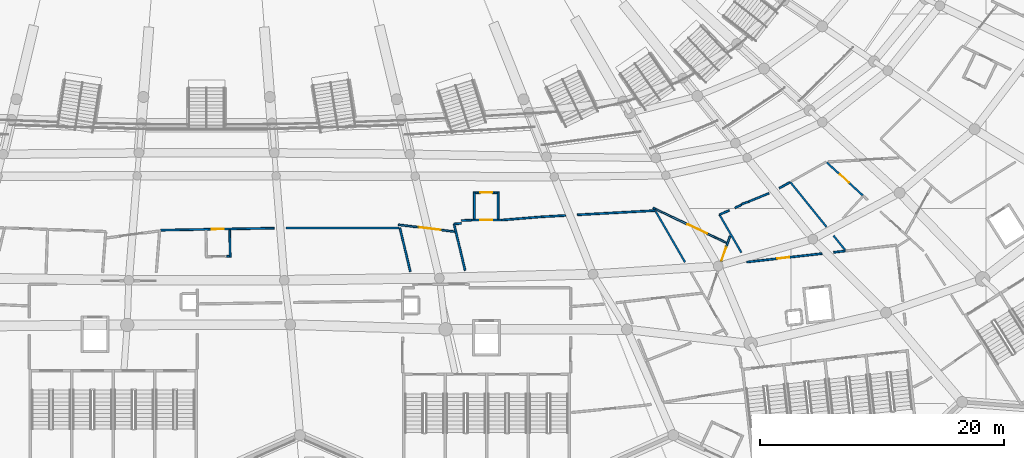
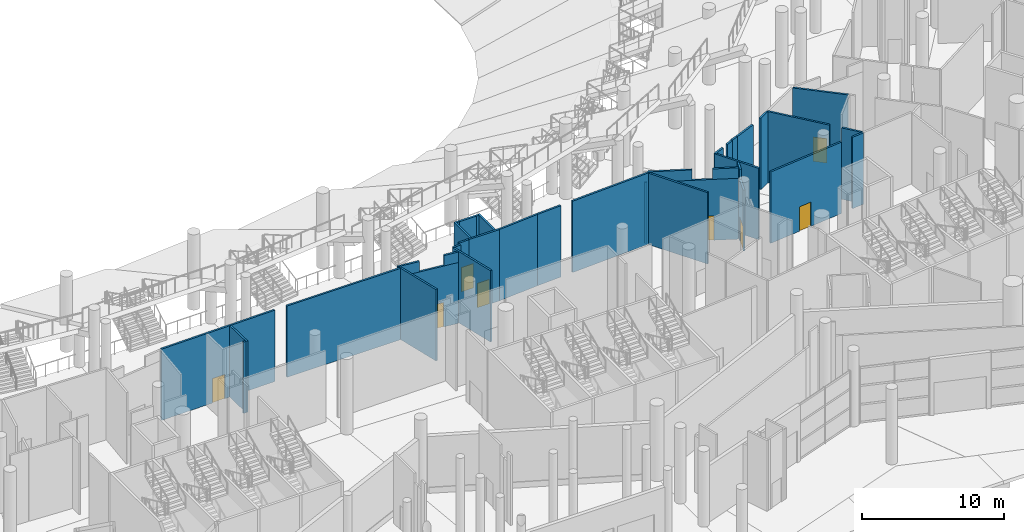
# One storey, part 121 of 255: 38 walls, 8 doors, 8 openings.
"""IFC4 building model written with IfcOpenShell, lengths in metres."""

from ifc_helpers import new_model, si_unit, direction, frame, frame_2d, origin, place, context, subcontext, project, spatial, rectangle, extrude, material, layer, layer_set, type_object, element, fill, save


model = new_model("IFC4")

# Units and contexts
model_context = context("Model", 3, precision=1e-05, world=origin(), true_north=direction((0.0, 1.0)))
body_context = subcontext(model_context, "Body", "Model", "MODEL_VIEW")
ifc_project = project(units=[si_unit("LENGTHUNIT", "METRE"), si_unit("AREAUNIT", "SQUARE_METRE"), si_unit("VOLUMEUNIT", "CUBIC_METRE"), si_unit("PLANEANGLEUNIT", "RADIAN"), si_unit("MASSUNIT", "GRAM", prefix="KILO")], contexts=[model_context])

# Site, building, storey
site_placement = place(None, origin())
site = spatial("IfcSite", under=ifc_project, at=site_placement, CompositionType="ELEMENT")
building_placement = place(site_placement, origin())
building = spatial("IfcBuilding", under=site, at=building_placement, Name="Meseta Stadium", CompositionType="ELEMENT")
storey_placement = place(building_placement, origin())
storey = spatial("IfcBuildingStorey", under=building, at=storey_placement, Name="L00", CompositionType="ELEMENT", Elevation=0.0)

# Wall
ifc_material_1 = material(Name="Masonry blockwork", Category="masonry")
ifc_layer = layer(ifc_material_1, 0.14990234375)
ifc_layer_set = layer_set([ifc_layer], Name="Partition 150")
wall_type = type_object("IfcWallType", Name="Partition 150", PredefinedType="PARTITIONING", material=ifc_layer_set)
wall_1_placement = place(storey_placement, frame((15.876220703125, -81.57861328125, 0.0), z_axis=(0.0, 0.0, 1.0), x_axis=(0.231653421041, -0.972798382256, 0.0)))
element("IfcWall", 1, at=wall_1_placement, inside=storey, type_object=wall_type, Name="Partition L00 L00-cell23-1-0", PredefinedType="PARTITIONING", context=body_context, shape_type="SweptSolid", body=[
    extrude(rectangle(XDim=3.67919921875, YDim=0.14990234375, at=frame_2d((1.839599609375, 0.0))), origin(), (0.0, 0.0, 1.0), 6.14990234375),
])

# Wall, opening, door
wall_2_placement = place(storey_placement, frame((-3.7783203125, -81.762939453125, 0.0), z_axis=(0.0, 0.0, 1.0), x_axis=(0.999845432781, 0.017581539953, 0.0)))
wall_2 = element("IfcWall", 2, at=wall_2_placement, inside=storey, type_object=wall_type, Name="Partition L00 L00-cell23-1-0", PredefinedType="PARTITIONING", context=body_context, shape_type="SweptSolid", body=[
    extrude(rectangle(XDim=9.33154296875, YDim=0.14990234375, at=frame_2d((4.665771484375, 0.0))), origin(), (0.0, 0.0, 1.0), 6.14990234375),
])
opening_1_placement = place(wall_2_placement, frame((4.199951171875, 0.0, 0.0)))
opening_1 = element("IfcOpeningElement", 3, at=opening_1_placement, cuts=wall_2, Name="Opening D602", PredefinedType="OPENING", context=body_context, shape_type="SweptSolid", body=[
    extrude(rectangle(XDim=1.0, YDim=2.10009765625, at=frame_2d((0.5, 1.050048828125))), frame((0.0, 0.0849609375, 0.0), z_axis=(0.0, -1.0, 0.0), x_axis=(1.0, 0.0, 0.0)), (0.0, 0.0, 1.0), 0.169921875),
])
ifc_material_2 = material(Name="Steel", Category="steel")
door_type_1 = type_object("IfcDoorType", Name="Fire door 1000x2100 EI2 60", OperationType="NOTDEFINED", PredefinedType="DOOR", material=ifc_material_2)
door_1_placement = place(opening_1_placement, origin())
door_1 = element("IfcDoor", 4, at=door_1_placement, inside=storey, type_object=door_type_1, Name="Door D602", OperationType="SINGLE_SWING_LEFT", OverallHeight=2.10009765625, OverallWidth=1.0, PredefinedType="DOOR", context=body_context, shape_type="SweptSolid", body=[
    extrude(rectangle(XDim=1.0, YDim=2.10009765625, at=frame_2d((0.5, 1.050048828125))), frame((0.0, 0.02490234375, 0.0), z_axis=(0.0, -1.0, 0.0), x_axis=(1.0, 0.0, 0.0)), (0.0, 0.0, 1.0), 0.050048828125),
])
fill(opening_1, door_1)

# Walls
wall_3_placement = place(storey_placement, frame((6.538330078125, -81.589599609375, 0.0), z_axis=(0.0, 0.0, 1.0), x_axis=(0.99999932727, 0.001159939114, 0.0)))
element("IfcWall", 5, at=wall_3_placement, inside=storey, type_object=wall_type, Name="Partition L00 L00-cell23-1-0", PredefinedType="PARTITIONING", context=body_context, shape_type="SweptSolid", body=[
    extrude(rectangle(XDim=9.260986328125, YDim=0.14990234375, at=frame_2d((4.63037109375, 0.0))), origin(), (0.0, 0.0, 1.0), 6.14990234375),
])
wall_4_placement = place(storey_placement, frame((21.23046875, -85.0693359375, 0.0), z_axis=(0.0, 0.0, 1.0), x_axis=(-0.231637359188, 0.972802206941, 0.0)))
element("IfcWall", 6, at=wall_4_placement, inside=storey, type_object=wall_type, Name="Partition L00 L00-cell24-1-0", PredefinedType="PARTITIONING", context=body_context, shape_type="SweptSolid", body=[
    extrude(rectangle(XDim=3.921875, YDim=0.14990234375, at=frame_2d((1.9609375, 0.0))), origin(), (0.0, 0.0, 1.0), 6.14990234375),
])
wall_5_placement = place(storey_placement, frame((20.322021484375, -81.254150390625, 0.0), z_axis=(0.0, 0.0, 1.0), x_axis=(0.996439227691, 0.084314088497, 0.0)))
element("IfcWall", 7, at=wall_5_placement, inside=storey, type_object=wall_type, Name="Partition L00 L00-cell24-1-0", PredefinedType="PARTITIONING", context=body_context, shape_type="SweptSolid", body=[
    extrude(rectangle(XDim=0.605224609375, YDim=0.14990234375, at=frame_2d((0.302734375, 0.0))), origin(), (0.0, 0.0, 1.0), 6.14990234375),
])
wall_6_placement = place(storey_placement, frame((20.93603515625, -80.972900390625, 0.0), z_axis=(0.0, 0.0, 1.0), x_axis=(0.998905752417, 0.046768555546, 0.0)))
element("IfcWall", 8, at=wall_6_placement, inside=storey, type_object=wall_type, Name="Partition L00 L00-cell24-1-0", PredefinedType="PARTITIONING", context=body_context, shape_type="SweptSolid", body=[
    extrude(rectangle(XDim=0.830078125, YDim=0.14990234375, at=frame_2d((0.4150390625, 0.0))), origin(), (0.0, 0.0, 1.0), 6.14990234375),
])

# Wall, opening, door
wall_7_placement = place(storey_placement, frame((21.76513671875, -80.93408203125, 0.0), z_axis=(0.0, 0.0, 1.0), x_axis=(1.0, 0.0, 0.0)))
wall_7 = element("IfcWall", 9, at=wall_7_placement, inside=storey, type_object=wall_type, Name="Partition L00 L00-cell24-1-0", PredefinedType="PARTITIONING", context=body_context, shape_type="SweptSolid", body=[
    extrude(rectangle(XDim=2.462646484375, YDim=0.14990234375, at=frame_2d((1.2314453125, 0.0))), origin(), (0.0, 0.0, 1.0), 6.14990234375),
])
opening_2_placement = place(wall_7_placement, frame((0.699951171875, 0.0, 0.0)))
opening_2 = element("IfcOpeningElement", 10, at=opening_2_placement, cuts=wall_7, Name="Opening D604", PredefinedType="OPENING", context=body_context, shape_type="SweptSolid", body=[
    extrude(rectangle(XDim=1.0, YDim=2.10009765625, at=frame_2d((0.5, 1.050048828125))), frame((0.0, 0.0849609375, 0.0), z_axis=(0.0, -1.0, 0.0), x_axis=(1.0, 0.0, 0.0)), (0.0, 0.0, 1.0), 0.169921875),
])
door_2_placement = place(opening_2_placement, origin())
door_2 = element("IfcDoor", 11, at=door_2_placement, inside=storey, type_object=door_type_1, Name="Door D604", OperationType="SINGLE_SWING_RIGHT", OverallHeight=2.10009765625, OverallWidth=1.0, PredefinedType="DOOR", context=body_context, shape_type="SweptSolid", body=[
    extrude(rectangle(XDim=1.0, YDim=2.10009765625, at=frame_2d((0.5, 1.050048828125))), frame((0.0, 0.02490234375, 0.0), z_axis=(0.0, -1.0, 0.0), x_axis=(1.0, 0.0, 0.0)), (0.0, 0.0, 1.0), 0.050048828125),
])
fill(opening_2, door_2)

# Walls
wall_8_placement = place(storey_placement, frame((24.227783203125, -80.93408203125, 0.0), z_axis=(0.0, 0.0, 1.0), x_axis=(0.996653266277, 0.081745133306, 0.0)))
element("IfcWall", 12, at=wall_8_placement, inside=storey, type_object=wall_type, Name="Partition L00 L00-cell24-1-0", PredefinedType="PARTITIONING", context=body_context, shape_type="SweptSolid", body=[
    extrude(rectangle(XDim=3.294189453125, YDim=0.14990234375, at=frame_2d((1.64697265625, 0.0))), origin(), (0.0, 0.0, 1.0), 6.14990234375),
])
wall_9_placement = place(storey_placement, frame((27.510986328125, -80.664794921875, 0.0), z_axis=(0.0, 0.0, 1.0), x_axis=(0.99850168798, 0.054720920144, 0.0)))
element("IfcWall", 13, at=wall_9_placement, inside=storey, type_object=wall_type, Name="Partition L00 L00-cell24-1-0", PredefinedType="PARTITIONING", context=body_context, shape_type="SweptSolid", body=[
    extrude(rectangle(XDim=1.967529296875, YDim=0.14990234375, at=frame_2d((0.98388671875, 0.0))), origin(), (0.0, 0.0, 1.0), 6.14990234375),
])
wall_10_placement = place(storey_placement, frame((30.457763671875, -80.50341796875, 0.0), z_axis=(0.0, 0.0, 1.0), x_axis=(0.998504094729, 0.054676986106, 0.0)))
element("IfcWall", 14, at=wall_10_placement, inside=storey, type_object=wall_type, Name="Partition L00 L00-cell24-1-0", PredefinedType="PARTITIONING", context=body_context, shape_type="SweptSolid", body=[
    extrude(rectangle(XDim=6.39404296875, YDim=0.14990234375, at=frame_2d((3.197021484375, 0.0))), origin(), (0.0, 0.0, 1.0), 6.14990234375),
])
wall_11_placement = place(storey_placement, frame((36.884521484375, -80.226806640625, 0.0), z_axis=(0.0, 0.0, 1.0), x_axis=(0.500421453723, -0.865781940591, 0.0)))
element("IfcWall", 15, at=wall_11_placement, inside=storey, type_object=wall_type, Name="Partition L00 L00-cell24-1-0", PredefinedType="PARTITIONING", context=body_context, shape_type="SweptSolid", body=[
    extrude(rectangle(XDim=4.806396484375, YDim=0.14990234375, at=frame_2d((2.4033203125, 0.0))), origin(), (0.0, 0.0, 1.0), 6.14990234375),
])
wall_12_placement = place(storey_placement, frame((52.444580078125, -83.3984375, 0.0), z_axis=(0.0, 0.0, 1.0), x_axis=(-0.627961576126, 0.778244343963, 0.0)))
element("IfcWall", 16, at=wall_12_placement, inside=storey, type_object=wall_type, Name="Partition L00 L00-cell25-1-0a", PredefinedType="PARTITIONING", context=body_context, shape_type="SweptSolid", body=[
    extrude(rectangle(XDim=1.52880859375, YDim=0.14990234375, at=frame_2d((0.764404296875, 0.0))), origin(), (0.0, 0.0, 1.0), 6.14990234375),
])
wall_13_placement = place(storey_placement, frame((50.902099609375, -81.4873046875, 0.0), z_axis=(0.0, 0.0, 1.0), x_axis=(-0.627974769813, 0.778233697856, 0.0)))
element("IfcWall", 17, at=wall_13_placement, inside=storey, type_object=wall_type, Name="Partition L00 L00-cell25-1-0b1", PredefinedType="PARTITIONING", context=body_context, shape_type="SweptSolid", body=[
    extrude(rectangle(XDim=4.7216796875, YDim=0.14990234375, at=frame_2d((2.36083984375, 0.0))), origin(), (0.0, 0.0, 1.0), 6.14990234375),
])

# Wall, opening, door
wall_14_placement = place(storey_placement, frame((50.94140625, -76.2099609375, 0.0), z_axis=(0.0, 0.0, 1.0), x_axis=(0.737627584749, -0.675207780034, 0.0)))
wall_14 = element("IfcWall", 18, at=wall_14_placement, inside=storey, type_object=wall_type, Name="Partition L00 L00-cell25-1-0b1", PredefinedType="PARTITIONING", context=body_context, shape_type="SweptSolid", body=[
    extrude(rectangle(XDim=4.001220703125, YDim=0.14990234375, at=frame_2d((2.00048828125, 0.0))), origin(), (0.0, 0.0, 1.0), 6.14990234375),
])
opening_3_placement = place(wall_14_placement, frame((1.449951171875, 0.0, 0.0)))
opening_3 = element("IfcOpeningElement", 19, at=opening_3_placement, cuts=wall_14, Name="Opening D611", PredefinedType="OPENING", context=body_context, shape_type="SweptSolid", body=[
    extrude(rectangle(XDim=1.0, YDim=2.10009765625, at=frame_2d((0.5, 1.050048828125))), frame((0.0, 0.0849609375, 0.0), z_axis=(0.0, -1.0, 0.0), x_axis=(1.0, 0.0, 0.0)), (0.0, 0.0, 1.0), 0.169921875),
])
ifc_material_3 = material(Name="Timber", Category="wood")
door_type_2 = type_object("IfcDoorType", Name="Room door 1000x2100", OperationType="NOTDEFINED", PredefinedType="DOOR", material=ifc_material_3)
door_3_placement = place(opening_3_placement, origin())
door_3 = element("IfcDoor", 20, at=door_3_placement, inside=storey, type_object=door_type_2, Name="Door D611", OperationType="SINGLE_SWING_LEFT", OverallHeight=2.10009765625, OverallWidth=1.0, PredefinedType="DOOR", context=body_context, shape_type="SweptSolid", body=[
    extrude(rectangle(XDim=1.0, YDim=2.10009765625, at=frame_2d((0.5, 1.050048828125))), frame((0.0, 0.02490234375, 0.0), z_axis=(0.0, -1.0, 0.0), x_axis=(1.0, 0.0, 0.0)), (0.0, 0.0, 1.0), 0.050048828125),
])
fill(opening_3, door_3)

# Wall
wall_15_placement = place(storey_placement, frame((52.441650390625, -83.47412109375, 0.0), z_axis=(0.0, 0.0, 1.0), x_axis=(-0.99369223489, -0.112141617254, 0.0)))
element("IfcWall", 21, at=wall_15_placement, inside=storey, type_object=wall_type, Name="Partition L00 L00-cell25-1-0w", PredefinedType="PARTITIONING", context=body_context, shape_type="SweptSolid", body=[
    extrude(rectangle(XDim=0.955810546875, YDim=0.14990234375, at=frame_2d((0.47802734375, 0.0))), origin(), (0.0, 0.0, 1.0), 6.14990234375),
])

# Wall, opening, door
wall_16_placement = place(storey_placement, frame((50.542236328125, -83.688232421875, 0.0), z_axis=(0.0, 0.0, 1.0), x_axis=(-0.993710941416, -0.11197573358, 0.0)))
wall_16 = element("IfcWall", 22, at=wall_16_placement, inside=storey, type_object=wall_type, Name="Partition L00 L00-cell25-1-0w", PredefinedType="PARTITIONING", context=body_context, shape_type="SweptSolid", body=[
    extrude(rectangle(XDim=6.211669921875, YDim=0.14990234375, at=frame_2d((3.10595703125, 0.0))), origin(), (0.0, 0.0, 1.0), 6.14990234375),
])
opening_4_placement = place(wall_16_placement, frame((2.699951171875, 0.0, 0.0)))
opening_4 = element("IfcOpeningElement", 23, at=opening_4_placement, cuts=wall_16, Name="Opening D612", PredefinedType="OPENING", context=body_context, shape_type="SweptSolid", body=[
    extrude(rectangle(XDim=1.0, YDim=2.10009765625, at=frame_2d((0.5, 1.050048828125))), frame((0.0, 0.0849609375, 0.0), z_axis=(0.0, -1.0, 0.0), x_axis=(1.0, 0.0, 0.0)), (0.0, 0.0, 1.0), 0.169921875),
])
door_4_placement = place(opening_4_placement, origin())
door_4 = element("IfcDoor", 24, at=door_4_placement, inside=storey, type_object=door_type_2, Name="Door D612", OperationType="SINGLE_SWING_RIGHT", OverallHeight=2.10009765625, OverallWidth=1.0, PredefinedType="DOOR", context=body_context, shape_type="SweptSolid", body=[
    extrude(rectangle(XDim=1.0, YDim=2.10009765625, at=frame_2d((0.5, 1.050048828125))), frame((0.0, 0.02490234375, 0.0), z_axis=(0.0, -1.0, 0.0), x_axis=(1.0, 0.0, 0.0)), (0.0, 0.0, 1.0), 0.050048828125),
])
fill(opening_4, door_4)

# Walls
wall_17_placement = place(storey_placement, frame((43.9189453125, -83.604248046875, 0.0), z_axis=(0.0, 0.0, 1.0), x_axis=(-0.50044022951, 0.865771087926, 0.0)))
element("IfcWall", 25, at=wall_17_placement, inside=storey, type_object=wall_type, Name="Partition L00 L00-cell25-1-0w", PredefinedType="PARTITIONING", context=body_context, shape_type="SweptSolid", body=[
    extrude(rectangle(XDim=3.601318359375, YDim=0.14990234375, at=frame_2d((1.80078125, 0.0))), origin(), (0.0, 0.0, 1.0), 6.14990234375),
])
wall_18_placement = place(storey_placement, frame((42.11669921875, -80.486328125, 0.0), z_axis=(0.0, 0.0, 1.0), x_axis=(0.920016582864, 0.391879429486, 0.0)))
element("IfcWall", 26, at=wall_18_placement, inside=storey, type_object=wall_type, Name="Partition L00 L00-cell25-1-0w", PredefinedType="PARTITIONING", context=body_context, shape_type="SweptSolid", body=[
    extrude(rectangle(XDim=0.881591796875, YDim=0.14990234375, at=frame_2d((0.44091796875, 0.0))), origin(), (0.0, 0.0, 1.0), 6.14990234375),
])
wall_19_placement = place(storey_placement, frame((43.389892578125, -79.9326171875, 0.0), z_axis=(0.0, 0.0, 1.0), x_axis=(0.910422520982, 0.413679626388, 0.0)))
element("IfcWall", 27, at=wall_19_placement, inside=storey, type_object=wall_type, Name="Partition L00 L00-cell25-1-0w", PredefinedType="PARTITIONING", context=body_context, shape_type="SweptSolid", body=[
    extrude(rectangle(XDim=0.5966796875, YDim=0.14990234375, at=frame_2d((0.29833984375, 0.0))), origin(), (0.0, 0.0, 1.0), 6.14990234375),
])
wall_20_placement = place(storey_placement, frame((43.944091796875, -79.6279296875, 0.0), z_axis=(0.0, 0.0, 1.0), x_axis=(0.942559298794, 0.334038872375, 0.0)))
element("IfcWall", 28, at=wall_20_placement, inside=storey, type_object=wall_type, Name="Partition L00 L00-cell25-1-0w", PredefinedType="PARTITIONING", context=body_context, shape_type="SweptSolid", body=[
    extrude(rectangle(XDim=0.565673828125, YDim=0.14990234375, at=frame_2d((0.28271484375, 0.0))), origin(), (0.0, 0.0, 1.0), 6.14990234375),
])
wall_21_placement = place(storey_placement, frame((44.477294921875, -79.43896484375, 0.0), z_axis=(0.0, 0.0, 1.0), x_axis=(0.924362830045, 0.381514558609, 0.0)))
element("IfcWall", 29, at=wall_21_placement, inside=storey, type_object=wall_type, Name="Partition L00 L00-cell25-1-0w", PredefinedType="PARTITIONING", context=body_context, shape_type="SweptSolid", body=[
    extrude(rectangle(XDim=1.84619140625, YDim=0.14990234375, at=frame_2d((0.923095703125, 0.0))), origin(), (0.0, 0.0, 1.0), 6.14990234375),
])
wall_22_placement = place(storey_placement, frame((47.0380859375, -78.318115234375, 0.0), z_axis=(0.0, 0.0, 1.0), x_axis=(0.871728350405, 0.489989472437, 0.0)))
element("IfcWall", 30, at=wall_22_placement, inside=storey, type_object=wall_type, Name="Partition L00 L00-cell25-1-0w", PredefinedType="PARTITIONING", context=body_context, shape_type="SweptSolid", body=[
    extrude(rectangle(XDim=0.98095703125, YDim=0.14990234375, at=frame_2d((0.490478515625, 0.0))), origin(), (0.0, 0.0, 1.0), 6.14990234375),
])
wall_23_placement = place(storey_placement, frame((1.89697265625, -81.73828125, 0.0), z_axis=(0.0, 0.0, 1.0), x_axis=(0.01757922365, -0.999845473509, 0.0)))
element("IfcWall", 31, at=wall_23_placement, inside=storey, type_object=wall_type, Name="Partition L00 L00-cell23-1-0 vestibule", PredefinedType="PARTITIONING", context=body_context, shape_type="SweptSolid", body=[
    extrude(rectangle(XDim=2.249755859375, YDim=0.14990234375, at=frame_2d((1.125, 0.0))), origin(), (0.0, 0.0, 1.0), 6.14990234375),
])
wall_24_placement = place(storey_placement, frame((1.660400390625, -83.91748046875, 0.0), z_axis=(0.0, 0.0, 1.0), x_axis=(0.999853929301, 0.017091520159, 0.0)))
element("IfcWall", 32, at=wall_24_placement, inside=storey, type_object=wall_type, Name="Partition L00 L00-cell23-1-0 vestibule", PredefinedType="PARTITIONING", context=body_context, shape_type="SweptSolid", body=[
    extrude(rectangle(XDim=0.199951171875, YDim=0.14990234375, at=frame_2d((0.10009765625, 0.0))), origin(), (0.0, 0.0, 1.0), 6.14990234375),
])
for number, where, z_axis, x_axis, name in (
    (33, (21.989990234375, -80.859130859375, 0.0), (0.0, 0.0, 1.0), (0.0, 1.0, 0.0), "Partition L00 L00-cell24-1-0 vestibule"),
    (34, (23.940185546875, -80.859130859375, 0.0), (0.0, 0.0, 1.0), (-0.000108506944, 0.999999994113, 0.0), "Partition L00 L00-cell24-1-0 vestibule"),
):
    element("IfcWall", number, at=place(storey_placement, frame(where, z_axis=z_axis, x_axis=x_axis)), inside=storey, type_object=wall_type, Name=name, PredefinedType="PARTITIONING", context=body_context, shape_type="SweptSolid", body=[
        extrude(rectangle(XDim=2.25, YDim=0.14990234375, at=frame_2d((1.125, 0.0))), origin(), (0.0, 0.0, 1.0), 6.14990234375),
    ])
wall_25_placement = place(storey_placement, frame((22.06494140625, -78.68408203125, 0.0), z_axis=(0.0, 0.0, 1.0), x_axis=(1.0, 0.0, 0.0)))
element("IfcWall", 35, at=wall_25_placement, inside=storey, type_object=wall_type, Name="Partition L00 L00-cell24-1-0 vestibule", PredefinedType="PARTITIONING", context=body_context, shape_type="SweptSolid", body=[
    extrude(rectangle(XDim=0.199951171875, YDim=0.14990234375, at=frame_2d((0.10009765625, 0.0))), origin(), (0.0, 0.0, 1.0), 6.14990234375),
])

# Wall, opening, door
wall_26_placement = place(storey_placement, frame((22.264892578125, -78.68408203125, 0.0), z_axis=(0.0, 0.0, 1.0), x_axis=(1.0, 0.0, 0.0)))
wall_26 = element("IfcWall", 36, at=wall_26_placement, inside=storey, type_object=wall_type, Name="Partition L00 L00-cell24-1-0 vestibule", PredefinedType="PARTITIONING", context=body_context, shape_type="SweptSolid", body=[
    extrude(rectangle(XDim=1.400146484375, YDim=0.14990234375, at=frame_2d((0.7001953125, 0.0))), origin(), (0.0, 0.0, 1.0), 6.14990234375),
])
opening_5_placement = place(wall_26_placement, frame((0.199951171875, 0.0, 0.0)))
opening_5 = element("IfcOpeningElement", 37, at=opening_5_placement, cuts=wall_26, Name="Opening D863", PredefinedType="OPENING", context=body_context, shape_type="SweptSolid", body=[
    extrude(rectangle(XDim=1.0, YDim=2.10009765625, at=frame_2d((0.5, 1.050048828125))), frame((0.0, 0.0849609375, 0.0), z_axis=(0.0, -1.0, 0.0), x_axis=(1.0, 0.0, 0.0)), (0.0, 0.0, 1.0), 0.169921875),
])
door_5_placement = place(opening_5_placement, origin())
door_5 = element("IfcDoor", 38, at=door_5_placement, inside=storey, type_object=door_type_1, Name="Vestibule door L00 L00-cell24-1-0", OperationType="SINGLE_SWING_RIGHT", OverallHeight=2.10009765625, OverallWidth=1.0, PredefinedType="DOOR", context=body_context, shape_type="SweptSolid", body=[
    extrude(rectangle(XDim=1.0, YDim=2.10009765625, at=frame_2d((0.5, 1.050048828125))), frame((0.0, 0.02490234375, 0.0), z_axis=(0.0, -1.0, 0.0), x_axis=(1.0, 0.0, 0.0)), (0.0, 0.0, 1.0), 0.050048828125),
])
fill(opening_5, door_5)

# Wall
wall_27_placement = place(storey_placement, frame((23.6650390625, -78.68408203125, 0.0), z_axis=(0.0, 0.0, 1.0), x_axis=(1.0, 0.0, 0.0)))
element("IfcWall", 39, at=wall_27_placement, inside=storey, type_object=wall_type, Name="Partition L00 L00-cell24-1-0 vestibule", PredefinedType="PARTITIONING", context=body_context, shape_type="SweptSolid", body=[
    extrude(rectangle(XDim=0.199951171875, YDim=0.14990234375, at=frame_2d((0.10009765625, 0.0))), origin(), (0.0, 0.0, 1.0), 6.14990234375),
])

# Wall, opening, door
wall_28_placement = place(storey_placement, frame((15.7548828125, -81.317626953125, 0.0), z_axis=(0.0, 0.0, 1.0), x_axis=(0.992549476032, -0.12184226536, 0.0)))
wall_28 = element("IfcWall", 40, at=wall_28_placement, inside=storey, type_object=wall_type, Name="Escape corridor discharge wall L00 core 25", PredefinedType="PARTITIONING", context=body_context, shape_type="SweptSolid", body=[
    extrude(rectangle(XDim=4.646728515625, YDim=0.14990234375, at=frame_2d((2.3232421875, 0.0))), origin(), (0.0, 0.0, 1.0), 5.25),
])
opening_6_placement = place(wall_28_placement, frame((1.696533203125, 0.0, 0.0)))
opening_6 = element("IfcOpeningElement", 41, at=opening_6_placement, cuts=wall_28, Name="Opening D401", PredefinedType="OPENING", context=body_context, shape_type="SweptSolid", body=[
    extrude(rectangle(XDim=1.800048828125, YDim=2.10009765625, at=frame_2d((0.89990234375, 1.050048828125))), frame((0.0, 0.0849609375, 0.0), z_axis=(0.0, -1.0, 0.0), x_axis=(1.0, 0.0, 0.0)), (0.0, 0.0, 1.0), 0.169921875),
])
ifc_material_4 = material(Name="Steel", Category="steel")
door_type_3 = type_object("IfcDoorType", Name="Fire double door 1800x2100 EI2 60", OperationType="DOUBLE_DOOR_SINGLE_SWING", PredefinedType="DOOR", material=ifc_material_4)
door_6_placement = place(opening_6_placement, origin())
door_6 = element("IfcDoor", 42, at=door_6_placement, inside=storey, type_object=door_type_3, Name="Stair discharge door SD25-1", OperationType="DOUBLE_DOOR_SINGLE_SWING", OverallHeight=2.10009765625, OverallWidth=1.800048828125, PredefinedType="DOOR", context=body_context, shape_type="SweptSolid", body=[
    extrude(rectangle(XDim=1.800048828125, YDim=2.10009765625, at=frame_2d((0.89990234375, 1.050048828125))), frame((0.0, 0.02490234375, 0.0), z_axis=(0.0, -1.0, 0.0), x_axis=(1.0, 0.0, 0.0)), (0.0, 0.0, 1.0), 0.050048828125),
])
fill(opening_6, door_6)

# Walls
wall_29_placement = place(storey_placement, frame((19.275146484375, -81.749755859375, 5.25), z_axis=(0.0, 0.0, 1.0), x_axis=(0.992548636292, -0.121849105842, 0.0)))
element("IfcWall", 43, at=wall_29_placement, inside=storey, type_object=wall_type, Name="Escape corridor discharge wall L00 core 25", PredefinedType="PARTITIONING", context=body_context, shape_type="SweptSolid", body=[
    extrude(rectangle(XDim=1.10009765625, YDim=0.14990234375, at=frame_2d((0.550048828125, 0.0))), origin(), (0.0, 0.0, 1.0), 0.89990234375),
])
wall_30_placement = place(storey_placement, frame((15.7548828125, -81.317626953125, 5.25), z_axis=(0.0, 0.0, 1.0), x_axis=(0.992546916187, -0.121863116521, 0.0)))
element("IfcWall", 44, at=wall_30_placement, inside=storey, type_object=wall_type, Name="Escape corridor discharge wall L00 core 25", PredefinedType="PARTITIONING", context=body_context, shape_type="SweptSolid", body=[
    extrude(rectangle(XDim=1.646728515625, YDim=0.14990234375, at=frame_2d((0.8232421875, 0.0))), origin(), (0.0, 0.0, 1.0), 0.89990234375),
])

# Wall, opening, door
wall_31_placement = place(storey_placement, frame((42.27001953125, -84.3203125, 0.0), z_axis=(0.0, 0.0, 1.0), x_axis=(0.326271308793, 0.945276167614, 0.0)))
wall_31 = element("IfcWall", 45, at=wall_31_placement, inside=storey, type_object=wall_type, Name="Escape corridor sector wall L00 core 26", PredefinedType="PARTITIONING", context=body_context, shape_type="SweptSolid", body=[
    extrude(rectangle(XDim=2.198486328125, YDim=0.14990234375, at=frame_2d((1.09912109375, 0.0))), origin(), (0.0, 0.0, 1.0), 5.25),
])
opening_7_placement = place(wall_31_placement, frame((0.050048828125, 0.0, 0.0)))
opening_7 = element("IfcOpeningElement", 46, at=opening_7_placement, cuts=wall_31, Name="Opening D1684", PredefinedType="OPENING", context=body_context, shape_type="SweptSolid", body=[
    extrude(rectangle(XDim=1.199951171875, YDim=2.10009765625, at=frame_2d((0.60009765625, 1.050048828125))), frame((0.0, 0.0849609375, 0.0), z_axis=(0.0, -1.0, 0.0), x_axis=(1.0, 0.0, 0.0)), (0.0, 0.0, 1.0), 0.169921875),
])
ifc_material_5 = material(Name="Steel", Category="steel")
door_type_4 = type_object("IfcDoorType", Name="Fire door 1200x2100 EI2 60", OperationType="NOTDEFINED", PredefinedType="DOOR", material=ifc_material_5)
door_7_placement = place(opening_7_placement, origin())
door_7 = element("IfcDoor", 47, at=door_7_placement, inside=storey, type_object=door_type_4, Name="Escape corridor door EC26-2", OperationType="SINGLE_SWING_LEFT", OverallHeight=2.10009765625, OverallWidth=1.199951171875, PredefinedType="DOOR", context=body_context, shape_type="SweptSolid", body=[
    extrude(rectangle(XDim=1.199951171875, YDim=2.10009765625, at=frame_2d((0.60009765625, 1.050048828125))), frame((0.0, 0.02490234375, 0.0), z_axis=(0.0, -1.0, 0.0), x_axis=(1.0, 0.0, 0.0)), (0.0, 0.0, 1.0), 0.050048828125),
])
fill(opening_7, door_7)

# Wall
wall_32_placement = place(storey_placement, frame((42.694091796875, -83.091552734375, 5.25), z_axis=(0.0, 0.0, 1.0), x_axis=(0.326317229127, 0.945260316513, 0.0)))
element("IfcWall", 48, at=wall_32_placement, inside=storey, type_object=wall_type, Name="Escape corridor sector wall L00 core 26", PredefinedType="PARTITIONING", context=body_context, shape_type="SweptSolid", body=[
    extrude(rectangle(XDim=0.8984375, YDim=0.14990234375, at=frame_2d((0.44921875, 0.0))), origin(), (0.0, 0.0, 1.0), 0.89990234375),
])

# Wall, opening, door
wall_33_placement = place(storey_placement, frame((36.87255859375, -80.031494140625, 0.0), z_axis=(0.0, 0.0, 1.0), x_axis=(0.902997447043, -0.429645913088, 0.0)))
wall_33 = element("IfcWall", 49, at=wall_33_placement, inside=storey, type_object=wall_type, Name="Escape corridor discharge wall L00 core 26", PredefinedType="PARTITIONING", context=body_context, shape_type="SweptSolid", body=[
    extrude(rectangle(XDim=6.45751953125, YDim=0.14990234375, at=frame_2d((3.228759765625, 0.0))), origin(), (0.0, 0.0, 1.0), 5.25),
])
opening_8_placement = place(wall_33_placement, frame((2.907470703125, 0.0, 0.0)))
opening_8 = element("IfcOpeningElement", 50, at=opening_8_placement, cuts=wall_33, Name="Opening D402", PredefinedType="OPENING", context=body_context, shape_type="SweptSolid", body=[
    extrude(rectangle(XDim=1.800048828125, YDim=2.10009765625, at=frame_2d((0.89990234375, 1.050048828125))), frame((0.0, 0.0849609375, 0.0), z_axis=(0.0, -1.0, 0.0), x_axis=(1.0, 0.0, 0.0)), (0.0, 0.0, 1.0), 0.169921875),
])
door_8_placement = place(opening_8_placement, origin())
door_8 = element("IfcDoor", 51, at=door_8_placement, inside=storey, type_object=door_type_3, Name="Stair discharge door SD26-1", OperationType="DOUBLE_DOOR_SINGLE_SWING", OverallHeight=2.10009765625, OverallWidth=1.800048828125, PredefinedType="DOOR", context=body_context, shape_type="SweptSolid", body=[
    extrude(rectangle(XDim=1.800048828125, YDim=2.10009765625, at=frame_2d((0.89990234375, 1.050048828125))), frame((0.0, 0.02490234375, 0.0), z_axis=(0.0, -1.0, 0.0), x_axis=(1.0, 0.0, 0.0)), (0.0, 0.0, 1.0), 0.050048828125),
])
fill(opening_8, door_8)

# Walls
wall_34_placement = place(storey_placement, frame((36.665283203125, -79.932861328125, 0.0), z_axis=(0.0, 0.0, 1.0), x_axis=(0.903175725346, -0.429271020622, 0.0)))
element("IfcWall", 52, at=wall_34_placement, inside=storey, type_object=wall_type, Name="Escape corridor discharge wall L00 core 26", PredefinedType="PARTITIONING", context=body_context, shape_type="SweptSolid", body=[
    extrude(rectangle(XDim=0.18603515625, YDim=0.14990234375, at=frame_2d((0.093017578125, 0.0))), origin(), (0.0, 0.0, 1.0), 5.25),
])
wall_35_placement = place(storey_placement, frame((41.023193359375, -82.00634765625, 5.25), z_axis=(0.0, 0.0, 1.0), x_axis=(0.90299384977, -0.429653473485, 0.0)))
element("IfcWall", 53, at=wall_35_placement, inside=storey, type_object=wall_type, Name="Escape corridor discharge wall L00 core 26", PredefinedType="PARTITIONING", context=body_context, shape_type="SweptSolid", body=[
    extrude(rectangle(XDim=1.86083984375, YDim=0.14990234375, at=frame_2d((0.930419921875, 0.0))), origin(), (0.0, 0.0, 1.0), 0.89990234375),
])
wall_36_placement = place(storey_placement, frame((36.87255859375, -80.031494140625, 5.25), z_axis=(0.0, 0.0, 1.0), x_axis=(0.90300235908, -0.429635589186, 0.0)))
element("IfcWall", 54, at=wall_36_placement, inside=storey, type_object=wall_type, Name="Escape corridor discharge wall L00 core 26", PredefinedType="PARTITIONING", context=body_context, shape_type="SweptSolid", body=[
    extrude(rectangle(XDim=3.148681640625, YDim=0.14990234375, at=frame_2d((1.57421875, 0.0))), origin(), (0.0, 0.0, 1.0), 0.89990234375),
])

save(model, "model.ifc")
